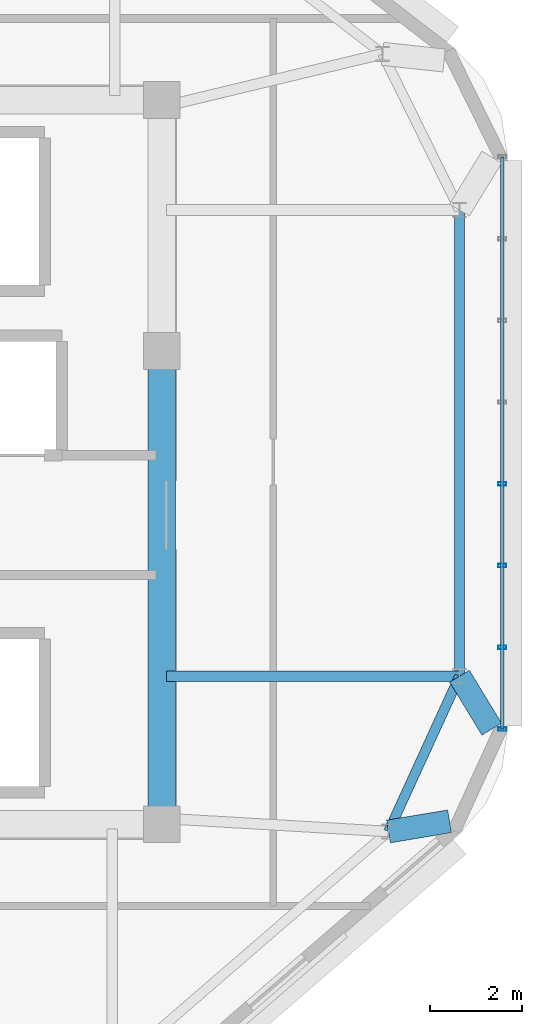
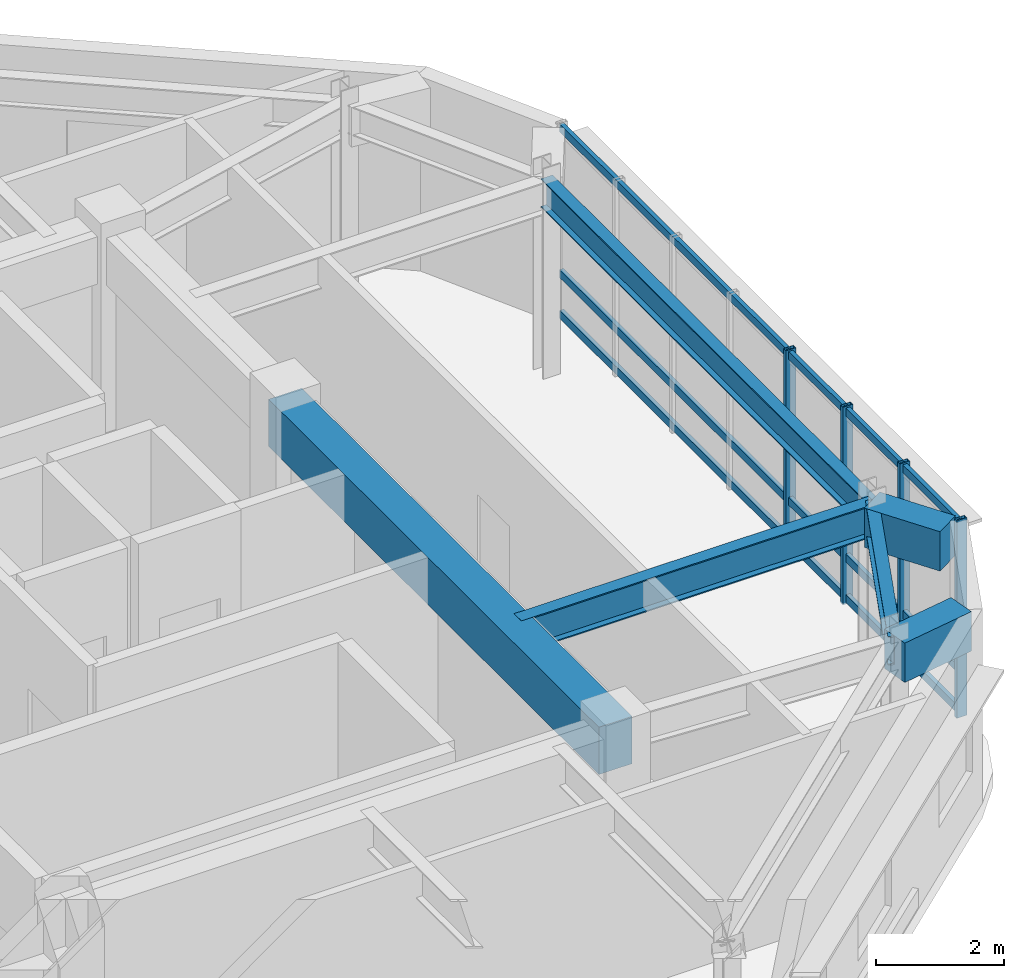
# One storey, part 5 of 13: 7 members, 6 beams, 1 element without a shape of its own.
"""IFC4 building model written with IfcOpenShell, lengths in metres."""

import ifcopenshell
import ifcopenshell.guid

model = None  # the IFC model being written
_history = None  # IfcOwnerHistory: only IFC2X3 demands one
_inside = {}  # id of a spatial element -> (the spatial element, [elements in it])
_under = {}  # id of a project, library or spatial element -> (it, [spatial elements below it])
_declared = {}  # id of a project -> (the project, [libraries it declares])
_typed = {}  # id of a type object -> (the type object, [elements of that type])
_made_of = {}  # id of a material, layer set ... -> (it, [elements and type objects made of it])


def new_model(schema):
    """Start an empty IFC model of exactly this schema.

    Asked for "IFC4X3", IfcOpenShell would pick the latest addendum, in which some entities
    have other attributes; the version numbers below select the first issue.
    IFC2X3 requires an IfcOwnerHistory on every rooted entity: one is made here for all.
    """
    global model, _history
    if schema == "IFC4X3":
        model = ifcopenshell.file(schema_version=(4, 3, 0, 0))
    else:
        model = ifcopenshell.file(schema=schema)
    _inside.clear()
    _under.clear()
    _declared.clear()
    _typed.clear()
    _made_of.clear()
    _history = None
    if model.schema == "IFC2X3":
        org = make("IfcOrganization", Name="unknown")
        user = make(
            "IfcPersonAndOrganization",
            ThePerson=make("IfcPerson", FamilyName="unknown"),
            TheOrganization=org,
        )
        app = make(
            "IfcApplication",
            ApplicationDeveloper=org,
            Version="unknown",
            ApplicationFullName="unknown",
            ApplicationIdentifier="unknown",
        )
        _history = make(
            "IfcOwnerHistory",
            OwningUser=user,
            OwningApplication=app,
            ChangeAction="ADDED",
            CreationDate=0,
        )
    return model


def make(cls, **values):
    """One entity of the class cls with the attributes given. An attribute that is None is left unset."""
    return model.create_entity(
        cls, **{name: value for name, value in values.items() if value is not None}
    )


def rooted(cls, **values):
    """An entity with a GlobalId (a new one), such as an element, a storey or a relation."""
    return make(cls, GlobalId=ifcopenshell.guid.new(), OwnerHistory=_history, **values)


def si_unit(unit_type, name, prefix=None):
    """IfcSIUnit, for example si_unit("LENGTHUNIT", "METRE", prefix="MILLI")."""
    return make("IfcSIUnit", UnitType=unit_type, Prefix=prefix, Name=name)


def assignment(units):
    """IfcUnitAssignment: the units of a project."""
    return None if units is None else make("IfcUnitAssignment", Units=units)


def point(xyz):
    """IfcCartesianPoint."""
    return None if xyz is None else make("IfcCartesianPoint", Coordinates=xyz)


def direction(xyz):
    """IfcDirection."""
    return None if xyz is None else make("IfcDirection", DirectionRatios=xyz)


def frame(location, z_axis=None, x_axis=None):
    """IfcAxis2Placement3D, a coordinate frame: its origin and axes. An axis left out is left unset."""
    return make(
        "IfcAxis2Placement3D",
        Location=point(location),
        Axis=direction(z_axis),
        RefDirection=direction(x_axis),
    )


def frame_2d(location, x_axis=None):
    """IfcAxis2Placement2D, a coordinate frame in the plane: its origin and x axis."""
    return make(
        "IfcAxis2Placement2D", Location=point(location), RefDirection=direction(x_axis)
    )


def origin():
    """The frame at (0, 0, 0) with its axes left unset."""
    return frame((0.0, 0.0, 0.0))


def origin_2d():
    """The frame at (0, 0) in the plane with its x axis left unset."""
    return frame_2d((0.0, 0.0))


def place(relative_to, where):
    """IfcLocalPlacement: puts the frame where relative to a parent placement (None: the world)."""
    return make(
        "IfcLocalPlacement", PlacementRelTo=relative_to, RelativePlacement=where
    )


def context(
    kind, dimensions, precision=None, world=None, true_north=None, identifier=None
):
    """IfcGeometricRepresentationContext, for example the 3D "Model" context."""
    return make(
        "IfcGeometricRepresentationContext",
        ContextIdentifier=identifier,
        ContextType=kind,
        CoordinateSpaceDimension=dimensions,
        Precision=precision,
        WorldCoordinateSystem=world,
        TrueNorth=true_north,
    )


def subcontext(parent, identifier, kind, view, scale=None):
    """IfcGeometricRepresentationSubContext, for example "Body" below "Model"."""
    return make(
        "IfcGeometricRepresentationSubContext",
        ContextIdentifier=identifier,
        ContextType=kind,
        ParentContext=parent,
        TargetScale=scale,
        TargetView=view,
    )


def project(units=None, contexts=None):
    """IfcProject with its units and contexts."""
    return rooted(
        "IfcProject",
        Name="project",
        RepresentationContexts=contexts,
        UnitsInContext=assignment(units),
    )


def spatial(cls, under=None, at=None, **own):
    """A site, building, storey or space (cls), placed at a placement, below another one or the project."""
    s = rooted(cls, ObjectPlacement=at, **own)
    if under is not None:
        _under.setdefault(under.id(), (under, []))[1].append(s)
    return s


def profile(cls, at=None, kind="AREA", **sizes):
    """A parametric profile (cls). Its sizes go by their IFC names, for example OverallWidth=200.0."""
    return make(cls, ProfileType=kind, Position=at, **sizes)


def rectangle(**sizes):
    """IfcRectangleProfileDef."""
    return profile("IfcRectangleProfileDef", **sizes)


def hollow_rectangle(**sizes):
    """IfcRectangleHollowProfileDef."""
    return profile("IfcRectangleHollowProfileDef", **sizes)


def i_section(**sizes):
    """IfcIShapeProfileDef."""
    return profile("IfcIShapeProfileDef", **sizes)


def extrude(swept, where, along, depth):
    """IfcExtrudedAreaSolid: the profile swept, set in the frame where, extruded along a direction by depth."""
    return make(
        "IfcExtrudedAreaSolid",
        SweptArea=swept,
        Position=where,
        ExtrudedDirection=direction(along),
        Depth=depth,
    )


def shape(context_of_items, identifier, shape_type, items):
    """IfcShapeRepresentation: the items that make up one representation, for example the "Body"."""
    return make(
        "IfcShapeRepresentation",
        ContextOfItems=context_of_items,
        RepresentationIdentifier=identifier,
        RepresentationType=shape_type,
        Items=items,
    )


def material(Name=None, Category=None):
    """IfcMaterial."""
    return make("IfcMaterial", Name=Name, Category=Category)


def material_profile(
    of_material, cross_section, Name=None, Category=None, Priority=None
):
    """IfcMaterialProfile: a cross section and its material."""
    return make(
        "IfcMaterialProfile",
        Name=Name,
        Material=of_material,
        Profile=cross_section,
        Priority=Priority,
        Category=Category,
    )


def profile_set(profiles, Name=None, composite=None):
    """IfcMaterialProfileSet."""
    return make(
        "IfcMaterialProfileSet",
        Name=Name,
        MaterialProfiles=profiles,
        CompositeProfile=composite,
    )


def made_of(thing, what):
    """Note that an element or type object is made of a material, layer set ...; save() writes the relation."""
    if what is not None:
        _made_of.setdefault(what.id(), (what, []))[1].append(thing)
    return thing


def type_object(cls, material=None, **own):
    """A type object (cls), such as IfcWallType, which elements share."""
    return made_of(rooted(cls, **own), material)


def element(
    cls,
    number,
    at=None,
    inside=None,
    cuts=None,
    type_object=None,
    material=None,
    context=None,
    identifier="Body",
    shape_type=None,
    held_by="IfcProductDefinitionShape",
    body=None,
    shapes=None,
    **own,
):
    """One element of the class cls, such as IfcWall. Its Tag is "e" and its number.

    at: its placement. inside: the storey or other place that contains it. cuts: it is an
    opening in that element (IfcRelVoidsElement). A single representation is given by context,
    identifier, shape_type and body (its items); several are given by shapes. held_by: the class
    of the entity that holds the representations. save() writes the other relations.
    """
    e = rooted(cls, Tag="e%d" % number, ObjectPlacement=at, **own)
    if body is not None:
        shapes = [shape(context, identifier, shape_type, body)]
    if shapes is not None:
        e.Representation = make(held_by, Representations=shapes)
    if inside is not None:
        _inside.setdefault(inside.id(), (inside, []))[1].append(e)
    if cuts is not None:
        rooted(
            "IfcRelVoidsElement", RelatingBuildingElement=cuts, RelatedOpeningElement=e
        )
    if type_object is not None:
        _typed.setdefault(type_object.id(), (type_object, []))[1].append(e)
    return made_of(e, material)


def aggregate(whole, parts):
    """IfcRelAggregates: a whole, such as a stair, and the parts it consists of."""
    return rooted("IfcRelAggregates", RelatingObject=whole, RelatedObjects=parts)


def save(model, path):
    """Write the relations noted so far, then the file.

    IfcRelAggregates (storeys below a building ...), IfcRelContainedInSpatialStructure (elements
    in a storey), IfcRelDefinesByType, IfcRelAssociatesMaterial and IfcRelDeclares: one each for
    every whole, place, type object, material and project.
    """
    for whole, parts in _under.values():
        aggregate(whole, parts)
    for where, things in _inside.values():
        rooted(
            "IfcRelContainedInSpatialStructure",
            RelatedElements=things,
            RelatingStructure=where,
        )
    for kind, things in _typed.values():
        rooted("IfcRelDefinesByType", RelatedObjects=things, RelatingType=kind)
    for what, things in _made_of.values():
        rooted("IfcRelAssociatesMaterial", RelatedObjects=things, RelatingMaterial=what)
    for by, libraries in _declared.values():
        rooted("IfcRelDeclares", RelatingContext=by, RelatedDefinitions=libraries)
    model.write(path)


model = new_model("IFC4")

# Units and contexts
model_context = context("Model", 3, precision=1e-05, world=origin(), true_north=direction((0.0, 1.0)))
body_context = subcontext(model_context, "Body", "Model", "MODEL_VIEW")
ifc_project = project(units=[si_unit("LENGTHUNIT", "METRE"), si_unit("AREAUNIT", "SQUARE_METRE"), si_unit("VOLUMEUNIT", "CUBIC_METRE"), si_unit("PLANEANGLEUNIT", "RADIAN"), si_unit("MASSUNIT", "GRAM", prefix="KILO")], contexts=[model_context])

# Site, building, storey
site_placement = place(None, origin())
site = spatial("IfcSite", under=ifc_project, at=site_placement, CompositionType="ELEMENT")
building_placement = place(site_placement, origin())
building = spatial("IfcBuilding", under=site, at=building_placement, Name="Zulverin Broadcast Headquarters", CompositionType="ELEMENT")
storey_placement = place(building_placement, frame((0.0, 0.0, 333.39990234375)))
storey = spatial("IfcBuildingStorey", under=building, at=storey_placement, Name="C6", CompositionType="ELEMENT", Elevation=333.39990234375)

# Beams
ifc_material_1 = material(Name="Concrete C60/75", Category="concrete")
ifc_material_profile_1 = material_profile(ifc_material_1, rectangle(XDim=0.60009765625, YDim=0.89990234375, at=origin_2d()), Name="Concrete C60/75", Category="concrete")
ifc_profile_set_1 = profile_set([ifc_material_profile_1], Name="Concrete C60/75")
beam_type_1 = type_object("IfcBeamType", Name="BM-CB-600x900", PredefinedType="LINTEL", material=ifc_profile_set_1)
beam_1_placement = place(storey_placement, frame((48.27490234375, 17.324951171875, 3.25), z_axis=(0.0, 1.0, 0.0), x_axis=(-1.0, 0.0, 0.0)))
element("IfcBeam", 1, at=beam_1_placement, inside=storey, type_object=beam_type_1, Name="C6 Core Coupling Girder K03-K04", PredefinedType="LINTEL", context=body_context, shape_type="SweptSolid", body=[
    extrude(rectangle(XDim=0.60009765625, YDim=0.89990234375, at=origin_2d()), origin(), (0.0, 0.0, 1.0), 10.295166015625),
])
ifc_material_2 = material(Name="Concrete C40/50", Category="concrete")
ifc_material_profile_2 = material_profile(ifc_material_2, rectangle(XDim=0.5, YDim=0.75, at=origin_2d()), Name="Concrete C40/50", Category="concrete")
ifc_profile_set_2 = profile_set([ifc_material_profile_2], Name="Concrete C40/50")
beam_type_2 = type_object("IfcBeamType", Name="BM-RC-500x750", PredefinedType="BEAM", material=ifc_profile_set_2)
for number, where, z_axis, x_axis, name in (
    (2, (53.205322265625, 17.168701171875, 3.3251953125), (0.986231723434, 0.165369246511, 0.0), (-0.165369246511, 0.986231723434, 0.0), "RF Plate Overhang Back-Spanned Beam OVR-04"),
    (3, (54.75, 20.546142578125, 3.3251953125), (0.519872162046, -0.854244072341, 0.0), (0.854244072341, 0.519872162046, 0.0), "RF Plate Overhang Back-Spanned Beam OVR-05"),
):
    element("IfcBeam", number, at=place(storey_placement, frame(where, z_axis=z_axis, x_axis=x_axis)), inside=storey, type_object=beam_type_2, Name=name, PredefinedType="BEAM", context=body_context, shape_type="SweptSolid", body=[
        extrude(rectangle(XDim=0.5, YDim=0.75, at=origin_2d()), origin(), (0.0, 0.0, 1.0), 1.346435546875),
    ])
ifc_material_3 = material(Name="Structural steel S355JR", Category="steel")
ifc_material_profile_3 = material_profile(ifc_material_3, i_section(OverallWidth=0.2119140625, OverallDepth=0.54443359375, WebThickness=0.0126953125, FlangeThickness=0.021240234375, at=origin_2d()), Name="Structural steel S355JR", Category="steel")
ifc_profile_set_3 = profile_set([ifc_material_profile_3], Name="Structural steel S355JR")
beam_type_3 = type_object("IfcBeamType", Name="BM-UB-533", PredefinedType="SPANDREL", material=ifc_profile_set_3)
beam_2_placement = place(storey_placement, frame((53.205322265625, 17.168701171875, 3.427978515625), z_axis=(0.41591666127, 0.90940273305, 0.0), x_axis=(-0.90940273305, 0.41591666127, 0.0)))
element("IfcBeam", 4, at=beam_2_placement, inside=storey, type_object=beam_type_3, Name="C6 Perimeter Spandrel Beam SP-04", PredefinedType="SPANDREL", context=body_context, shape_type="SweptSolid", body=[
    extrude(i_section(OverallWidth=0.2119140625, OverallDepth=0.54443359375, WebThickness=0.0126953125, FlangeThickness=0.021240234375, at=origin_2d()), origin(), (0.0, 0.0, 1.0), 3.7138671875),
])
beam_3_placement = place(storey_placement, frame((54.75, 20.546142578125, 3.427978515625), z_axis=(0.0, 1.0, 0.0), x_axis=(-1.0, 0.0, 0.0)))
element("IfcBeam", 5, at=beam_3_placement, inside=storey, type_object=beam_type_3, Name="C6 Perimeter Spandrel Beam SP-05", PredefinedType="SPANDREL", context=body_context, shape_type="SweptSolid", body=[
    extrude(i_section(OverallWidth=0.2119140625, OverallDepth=0.54443359375, WebThickness=0.0126953125, FlangeThickness=0.021240234375, at=origin_2d()), origin(), (0.0, 0.0, 1.0), 10.1376953125),
])
ifc_material_profile_4 = material_profile(ifc_material_3, i_section(OverallWidth=0.230224609375, OverallDepth=0.6171875, WebThickness=0.01318359375, FlangeThickness=0.022216796875, at=origin_2d()), Name="Structural steel S355JR", Category="steel")
ifc_profile_set_4 = profile_set([ifc_material_profile_4], Name="Structural steel S355JR")
beam_type_4 = type_object("IfcBeamType", Name="BM-UB-610", PredefinedType="BEAM", material=ifc_profile_set_4)
beam_4_placement = place(storey_placement, frame((48.375, 20.546142578125, 3.3916015625), z_axis=(1.0, 0.0, 0.0), x_axis=(0.0, 1.0, 0.0)))
element("IfcBeam", 6, at=beam_4_placement, inside=storey, type_object=beam_type_4, Name="C6 Radial Primary Floor Beam RB-05", PredefinedType="BEAM", context=body_context, shape_type="SweptSolid", body=[
    extrude(i_section(OverallWidth=0.230224609375, OverallDepth=0.6171875, WebThickness=0.01318359375, FlangeThickness=0.022216796875, at=origin_2d()), origin(), (0.0, 0.0, 1.0), 6.375),
])

# Curtain wall, members
ifc_material_4 = material(Name="Crown damper-hall structural glass curtain wall", Category="glass")
curtain_wall_type = type_object("IfcCurtainWallType", Name="CW-CRN", PredefinedType="USERDEFINED", material=ifc_material_4)
curtain_wall_placement = place(storey_placement, origin())
curtain_wall = element("IfcCurtainWall", 7, at=curtain_wall_placement, inside=storey, type_object=curtain_wall_type, Name="C6 Unitised Curtain Wall CW-C6-E3", ObjectType="UNITISED CURTAIN WALL", PredefinedType="USERDEFINED")
ifc_material_5 = material(Name="Anodized pale-metal aluminium alloy 6063-T6", Category="aluminium")
ifc_material_profile_5 = material_profile(ifc_material_5, hollow_rectangle(XDim=0.074951171875, YDim=0.179931640625, WallThickness=0.0048828125, at=origin_2d()), Name="Anodized pale-metal aluminium alloy 6063-T6", Category="aluminium")
ifc_profile_set_5 = profile_set([ifc_material_profile_5], Name="Anodized pale-metal aluminium alloy 6063-T6")
member_type_1 = type_object("IfcMemberType", Name="CW-MUL-180", PredefinedType="MULLION", material=ifc_profile_set_5)
member_1_placement = place(storey_placement, frame((55.679931640625, 19.39599609375, -0.02978515625), z_axis=(0.0, 0.0, 1.0), x_axis=(0.0, 1.0, 0.0)))
member_1 = element("IfcMember", 8, at=member_1_placement, type_object=member_type_1, Name="CW-C6-E3 Mullion 00", PredefinedType="MULLION", context=body_context, shape_type="SweptSolid", body=[
    extrude(hollow_rectangle(XDim=0.074951171875, YDim=0.179931640625, WallThickness=0.0048828125, at=origin_2d()), origin(), (0.0, 0.0, 1.0), 3.759765625),
])
member_2_placement = place(storey_placement, frame((55.679931640625, 21.1728515625, -0.02978515625), z_axis=(0.0, 0.0, 1.0), x_axis=(0.0, 1.0, 0.0)))
member_2 = element("IfcMember", 9, at=member_2_placement, type_object=member_type_1, Name="CW-C6-E3 Mullion 01", PredefinedType="MULLION", context=body_context, shape_type="SweptSolid", body=[
    extrude(hollow_rectangle(XDim=0.074951171875, YDim=0.179931640625, WallThickness=0.0048828125, at=origin_2d()), origin(), (0.0, 0.0, 1.0), 3.759765625),
])
member_3_placement = place(storey_placement, frame((55.679931640625, 22.94970703125, -0.02978515625), z_axis=(0.0, 0.0, 1.0), x_axis=(0.0, 1.0, 0.0)))
member_3 = element("IfcMember", 10, at=member_3_placement, type_object=member_type_1, Name="CW-C6-E3 Mullion 02", PredefinedType="MULLION", context=body_context, shape_type="SweptSolid", body=[
    extrude(hollow_rectangle(XDim=0.074951171875, YDim=0.179931640625, WallThickness=0.0048828125, at=origin_2d()), origin(), (0.0, 0.0, 1.0), 3.759765625),
])
member_4_placement = place(storey_placement, frame((55.679931640625, 24.7265625, -0.02978515625), z_axis=(0.0, 0.0, 1.0), x_axis=(0.0, 1.0, 0.0)))
member_4 = element("IfcMember", 11, at=member_4_placement, type_object=member_type_1, Name="CW-C6-E3 Mullion 03", PredefinedType="MULLION", context=body_context, shape_type="SweptSolid", body=[
    extrude(hollow_rectangle(XDim=0.074951171875, YDim=0.179931640625, WallThickness=0.0048828125, at=origin_2d()), origin(), (0.0, 0.0, 1.0), 3.759765625),
])
ifc_material_profile_6 = material_profile(ifc_material_5, hollow_rectangle(XDim=0.074951171875, YDim=0.14990234375, WallThickness=0.0048828125, at=origin_2d()), Name="Anodized pale-metal aluminium alloy 6063-T6", Category="aluminium")
ifc_profile_set_6 = profile_set([ifc_material_profile_6], Name="Anodized pale-metal aluminium alloy 6063-T6")
member_type_2 = type_object("IfcMemberType", Name="CW-TRN-150", PredefinedType="USERDEFINED", material=ifc_profile_set_6)
member_5_placement = place(storey_placement, frame((55.679931640625, 19.39599609375, 0.0751953125), z_axis=(0.0, 1.0, 0.0), x_axis=(-1.0, 0.0, 0.0)))
member_5 = element("IfcMember", 12, at=member_5_placement, type_object=member_type_2, Name="CW-C6-E3 Transom 0", ObjectType="TRANSOM", PredefinedType="USERDEFINED", context=body_context, shape_type="SweptSolid", body=[
    extrude(hollow_rectangle(XDim=0.074951171875, YDim=0.14990234375, WallThickness=0.0048828125, at=origin_2d()), origin(), (0.0, 0.0, 1.0), 12.43798828125),
])
member_6_placement = place(storey_placement, frame((55.679931640625, 19.39599609375, 0.85009765625), z_axis=(0.0, 1.0, 0.0), x_axis=(-1.0, 0.0, 0.0)))
member_6 = element("IfcMember", 13, at=member_6_placement, type_object=member_type_2, Name="CW-C6-E3 Transom 1", ObjectType="TRANSOM", PredefinedType="USERDEFINED", context=body_context, shape_type="SweptSolid", body=[
    extrude(hollow_rectangle(XDim=0.074951171875, YDim=0.14990234375, WallThickness=0.0048828125, at=origin_2d()), origin(), (0.0, 0.0, 1.0), 12.43798828125),
])
member_7_placement = place(storey_placement, frame((55.679931640625, 19.39599609375, 3.625), z_axis=(0.0, 1.0, 0.0), x_axis=(-1.0, 0.0, 0.0)))
member_7 = element("IfcMember", 14, at=member_7_placement, type_object=member_type_2, Name="CW-C6-E3 Transom 2", ObjectType="TRANSOM", PredefinedType="USERDEFINED", context=body_context, shape_type="SweptSolid", body=[
    extrude(hollow_rectangle(XDim=0.074951171875, YDim=0.14990234375, WallThickness=0.0048828125, at=origin_2d()), origin(), (0.0, 0.0, 1.0), 12.43798828125),
])
aggregate(curtain_wall, [member_1, member_2, member_3, member_4, member_5, member_6, member_7])

save(model, "model.ifc")
